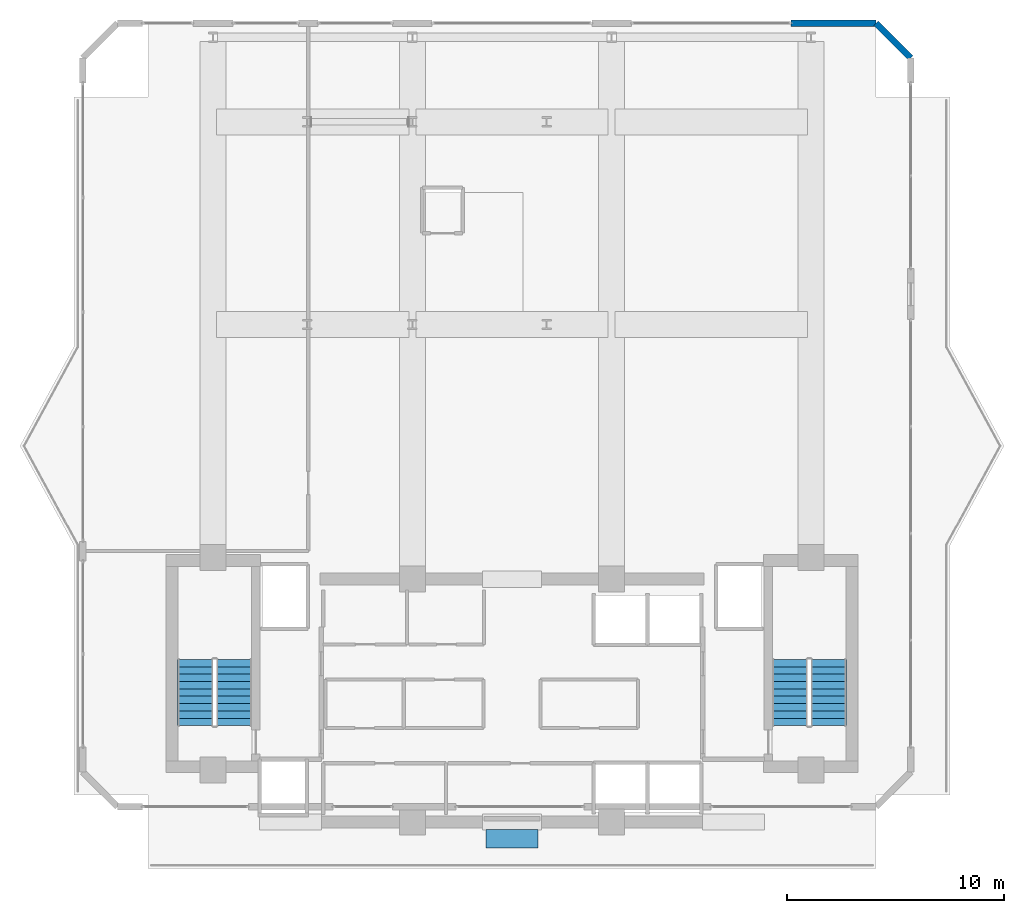
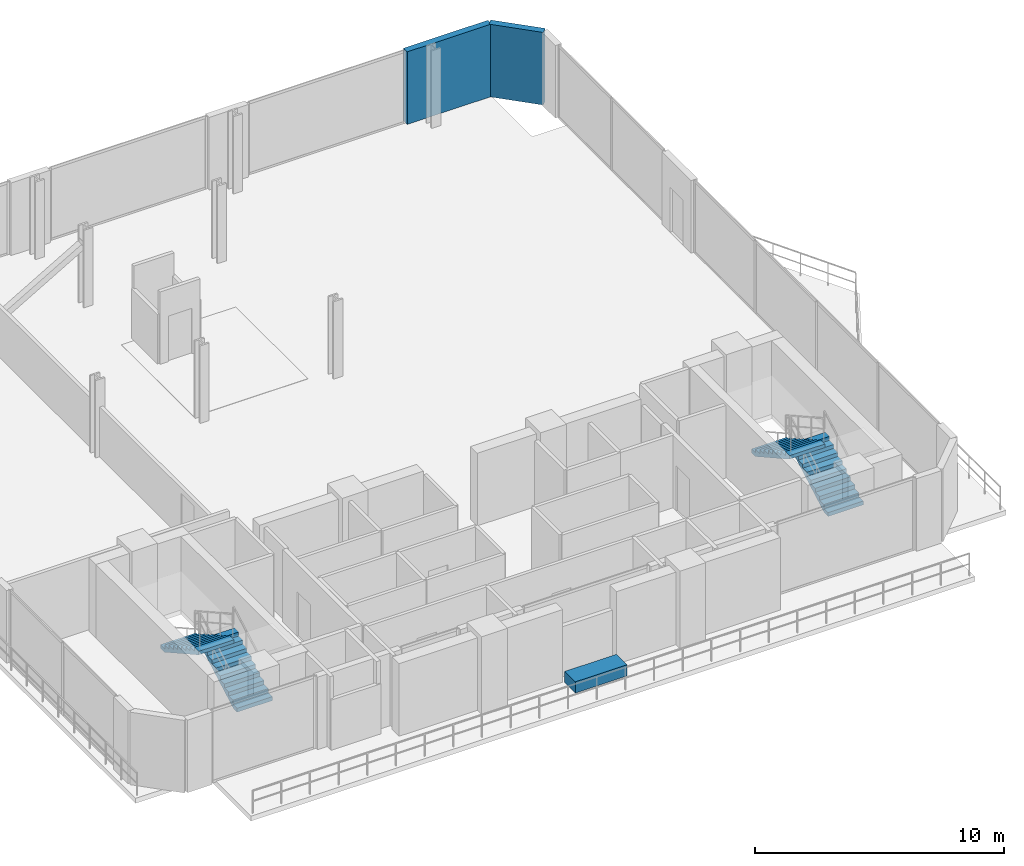
# One storey, part 24 of 27: 4 stair flights, 2 walls, 1 building element part, 2 elements without a shape of their own.
"""IFC4 building model written with IfcOpenShell, lengths in metres."""

from ifc_helpers import new_model, si_unit, direction, frame, frame_2d, origin, origin_2d, place, context, subcontext, project, spatial, polyline, rectangle, outline, extrude, material, layer, layer_set, type_object, element, aggregate, save


model = new_model("IFC4")

# Units and contexts
model_context = context("Model", 3, precision=1e-05, world=origin(), true_north=direction((0.0, 1.0)))
body_context = subcontext(model_context, "Body", "Model", "MODEL_VIEW")
ifc_project = project(units=[si_unit("LENGTHUNIT", "METRE"), si_unit("AREAUNIT", "SQUARE_METRE"), si_unit("VOLUMEUNIT", "CUBIC_METRE"), si_unit("PLANEANGLEUNIT", "RADIAN"), si_unit("MASSUNIT", "GRAM", prefix="KILO")], contexts=[model_context])

# Site, building, storey
site_placement = place(None, origin())
site = spatial("IfcSite", under=ifc_project, at=site_placement, CompositionType="ELEMENT")
building_placement = place(site_placement, origin())
building = spatial("IfcBuilding", under=site, at=building_placement, Name="Zuhayl Quay Hotel", CompositionType="ELEMENT")
storey_placement = place(building_placement, frame((0.0, 0.0, 297.25)))
storey = spatial("IfcBuildingStorey", under=building, at=storey_placement, Name="Crown 1", CompositionType="ELEMENT", Elevation=297.25)

# Walls
ifc_material_1 = material(Name="Precast concrete C45/55", Category="concrete")
ifc_layer_1 = layer(ifc_material_1, 0.300048828125, Name="Precast concrete C45/55", Category="concrete")
ifc_layer_set_1 = layer_set([ifc_layer_1], Name="Precast concrete C45/55")
wall_type = type_object("IfcWallType", Name="WL_EXT_300", PredefinedType="STANDARD", material=ifc_layer_set_1)
wall_1_placement = place(storey_placement, frame((12.8798828125, 39.0, 0.0), z_axis=(0.0, 0.0, 1.0), x_axis=(1.0, 0.0, 0.0)))
element("IfcWall", 1, at=wall_1_placement, inside=storey, type_object=wall_type, Name="Crown 1 Exterior Precast Wall ENV_CR1_E3_EW6", PredefinedType="STANDARD", context=body_context, shape_type="SweptSolid", body=[
    extrude(rectangle(XDim=3.920166015625, YDim=0.300048828125, at=frame_2d((1.9599609375, 0.0))), origin(), (0.0, 0.0, 1.0), 3.56005859375),
])
wall_2_placement = place(storey_placement, frame((16.800048828125, 39.0, 0.0), z_axis=(0.0, 0.0, 1.0), x_axis=(0.707052830339, -0.707160727918, 0.0)))
element("IfcWall", 2, at=wall_2_placement, inside=storey, type_object=wall_type, Name="Crown 1 Exterior Precast Wall ENV_CR1_EW4", PredefinedType="STANDARD", context=body_context, shape_type="SweptSolid", body=[
    extrude(rectangle(XDim=2.2626953125, YDim=0.300048828125, at=frame_2d((1.13134765625, 0.0))), origin(), (0.0, 0.0, 1.0), 3.56005859375),
])

# Stair, stair flights
ifc_material_2 = material(Name="Concrete C45/55", Category="concrete")
stair_type = type_object("IfcStairType", Name="ST_DOGLEG_TOWER", PredefinedType="HALF_TURN_STAIR", material=ifc_material_2)
stair_1_placement = place(storey_placement, origin())
stair_1 = element("IfcStair", 3, at=stair_1_placement, inside=storey, type_object=stair_type, Name="Crown 1 Smokeproof Exit Stair ST1", PredefinedType="HALF_TURN_STAIR")
ifc_layer_2 = layer(ifc_material_2, 0.159912109375, Name="Concrete C45/55", Category="concrete")
ifc_layer_set_2 = layer_set([ifc_layer_2], Name="Concrete C45/55")
stair_flight_type = type_object("IfcStairFlightType", Name="SF_CONC_164", PredefinedType="STRAIGHT", material=ifc_layer_set_2)
stair_flight_1_placement = place(storey_placement, frame((-12.820068359375, 6.590087890625, 0.0), z_axis=(0.0, 0.0, 1.0), x_axis=(0.0, 1.0, 0.0)))
stair_flight_1 = element("IfcStairFlight", 4, at=stair_flight_1_placement, type_object=stair_flight_type, Name="ST1 flight 1", NumberOfRisers=10, NumberOfTreads=9, PredefinedType="STRAIGHT", RiserHeight=0.19, TreadLength=0.34, context=body_context, shape_type="SweptSolid", body=[
    extrude(outline(polyline([(0.0, 0.0), (0.0, 0.18994140625), (0.340087890625, 0.18994140625), (0.340087890625, 0.3798828125), (0.679931640625, 0.3798828125), (0.679931640625, 0.570068359375), (1.02001953125, 0.570068359375), (1.02001953125, 0.760009765625), (1.360107421875, 0.760009765625), (1.360107421875, 0.949951171875), (1.699951171875, 0.949951171875), (1.699951171875, 1.139892578125), (2.0400390625, 1.139892578125), (2.0400390625, 1.330078125), (2.3798828125, 1.330078125), (2.3798828125, 1.52001953125), (2.719970703125, 1.52001953125), (2.719970703125, 1.7099609375), (3.06005859375, 1.7099609375), (3.06005859375, 1.89990234375), (3.06005859375, 1.538330078125), (0.307373046875, 0.0), (0.0, 0.0)])), frame((0.0, 0.81982421875, 0.0), z_axis=(0.0, -1.0, 0.0), x_axis=(1.0, 0.0, 0.0)), (0.0, 0.0, 1.0), 1.639892578125),
])
stair_flight_2_placement = place(storey_placement, frame((-14.610107421875, 9.64990234375, 1.89990234375), z_axis=(0.0, 0.0, 1.0), x_axis=(0.0, -1.0, 0.0)))
stair_flight_2 = element("IfcStairFlight", 5, at=stair_flight_2_placement, type_object=stair_flight_type, Name="ST1 flight 2", NumberOfRisers=10, NumberOfTreads=9, PredefinedType="STRAIGHT", RiserHeight=0.19, TreadLength=0.34, context=body_context, shape_type="SweptSolid", body=[
    extrude(outline(polyline([(0.0, 0.0), (0.0, 0.18994140625), (0.340087890625, 0.18994140625), (0.340087890625, 0.3798828125), (0.679931640625, 0.3798828125), (0.679931640625, 0.570068359375), (1.02001953125, 0.570068359375), (1.02001953125, 0.760009765625), (1.360107421875, 0.760009765625), (1.360107421875, 0.949951171875), (1.699951171875, 0.949951171875), (1.699951171875, 1.139892578125), (2.0400390625, 1.139892578125), (2.0400390625, 1.330078125), (2.3798828125, 1.330078125), (2.3798828125, 1.52001953125), (2.719970703125, 1.52001953125), (2.719970703125, 1.7099609375), (3.06005859375, 1.7099609375), (3.06005859375, 1.89990234375), (3.06005859375, 1.538330078125), (0.307373046875, 0.0), (0.0, 0.0)])), frame((0.0, 0.81982421875, 0.0), z_axis=(0.0, -1.0, 0.0), x_axis=(1.0, 0.0, 0.0)), (0.0, 0.0, 1.0), 1.639892578125),
])
aggregate(stair_1, [stair_flight_1, stair_flight_2])

stair_2_placement = place(storey_placement, origin())
stair_2 = element("IfcStair", 6, at=stair_2_placement, inside=storey, type_object=stair_type, Name="Crown 1 Smokeproof Exit Stair ST2", PredefinedType="HALF_TURN_STAIR")
stair_flight_3_placement = place(storey_placement, frame((14.610107421875, 6.590087890625, 0.0), z_axis=(0.0, 0.0, 1.0), x_axis=(0.0, 1.0, 0.0)))
stair_flight_3 = element("IfcStairFlight", 7, at=stair_flight_3_placement, type_object=stair_flight_type, Name="ST2 flight 1", NumberOfRisers=10, NumberOfTreads=9, PredefinedType="STRAIGHT", RiserHeight=0.19, TreadLength=0.34, context=body_context, shape_type="SweptSolid", body=[
    extrude(outline(polyline([(0.0, 0.0), (0.0, 0.18994140625), (0.340087890625, 0.18994140625), (0.340087890625, 0.3798828125), (0.679931640625, 0.3798828125), (0.679931640625, 0.570068359375), (1.02001953125, 0.570068359375), (1.02001953125, 0.760009765625), (1.360107421875, 0.760009765625), (1.360107421875, 0.949951171875), (1.699951171875, 0.949951171875), (1.699951171875, 1.139892578125), (2.0400390625, 1.139892578125), (2.0400390625, 1.330078125), (2.3798828125, 1.330078125), (2.3798828125, 1.52001953125), (2.719970703125, 1.52001953125), (2.719970703125, 1.7099609375), (3.06005859375, 1.7099609375), (3.06005859375, 1.89990234375), (3.06005859375, 1.538330078125), (0.307373046875, 0.0), (0.0, 0.0)])), frame((0.0, 0.81982421875, 0.0), z_axis=(0.0, -1.0, 0.0), x_axis=(1.0, 0.0, 0.0)), (0.0, 0.0, 1.0), 1.639892578125),
])
stair_flight_4_placement = place(storey_placement, frame((12.820068359375, 9.64990234375, 1.89990234375), z_axis=(0.0, 0.0, 1.0), x_axis=(0.0, -1.0, 0.0)))
stair_flight_4 = element("IfcStairFlight", 8, at=stair_flight_4_placement, type_object=stair_flight_type, Name="ST2 flight 2", NumberOfRisers=10, NumberOfTreads=9, PredefinedType="STRAIGHT", RiserHeight=0.19, TreadLength=0.34, context=body_context, shape_type="SweptSolid", body=[
    extrude(outline(polyline([(0.0, 0.0), (0.0, 0.18994140625), (0.340087890625, 0.18994140625), (0.340087890625, 0.3798828125), (0.679931640625, 0.3798828125), (0.679931640625, 0.570068359375), (1.02001953125, 0.570068359375), (1.02001953125, 0.760009765625), (1.360107421875, 0.760009765625), (1.360107421875, 0.949951171875), (1.699951171875, 0.949951171875), (1.699951171875, 1.139892578125), (2.0400390625, 1.139892578125), (2.0400390625, 1.330078125), (2.3798828125, 1.330078125), (2.3798828125, 1.52001953125), (2.719970703125, 1.52001953125), (2.719970703125, 1.7099609375), (3.06005859375, 1.7099609375), (3.06005859375, 1.89990234375), (3.06005859375, 1.538330078125), (0.307373046875, 0.0), (0.0, 0.0)])), frame((0.0, 0.81982421875, 0.0), z_axis=(0.0, -1.0, 0.0), x_axis=(1.0, 0.0, 0.0)), (0.0, 0.0, 1.0), 1.639892578125),
])
aggregate(stair_2, [stair_flight_3, stair_flight_4])

# Building element part
ifc_layer_3 = layer(ifc_material_1, 0.550048828125, Name="Precast concrete C45/55", Category="concrete")
ifc_layer_set_3 = layer_set([ifc_layer_3], Name="Precast concrete C45/55")
building_element_part_type = type_object("IfcBuildingElementPartType", Name="PT_PLANTER_KERB", PredefinedType="PRECASTPANEL", material=ifc_layer_set_3)
building_element_part_placement = place(storey_placement, frame((0.0, 1.3798828125, 0.0), z_axis=(0.0, 0.0, 1.0), x_axis=(1.0, 0.0, 0.0)))
element("IfcBuildingElementPart", 9, at=building_element_part_placement, inside=storey, type_object=building_element_part_type, Name="Crown 1 Stepped Crown Planter Box", PredefinedType="PRECASTPANEL", context=body_context, shape_type="SweptSolid", body=[
    extrude(rectangle(XDim=2.39990234375, YDim=0.85009765625, at=origin_2d()), origin(), (0.0, 0.0, 1.0), 0.550048828125),
])

save(model, "model.ifc")
